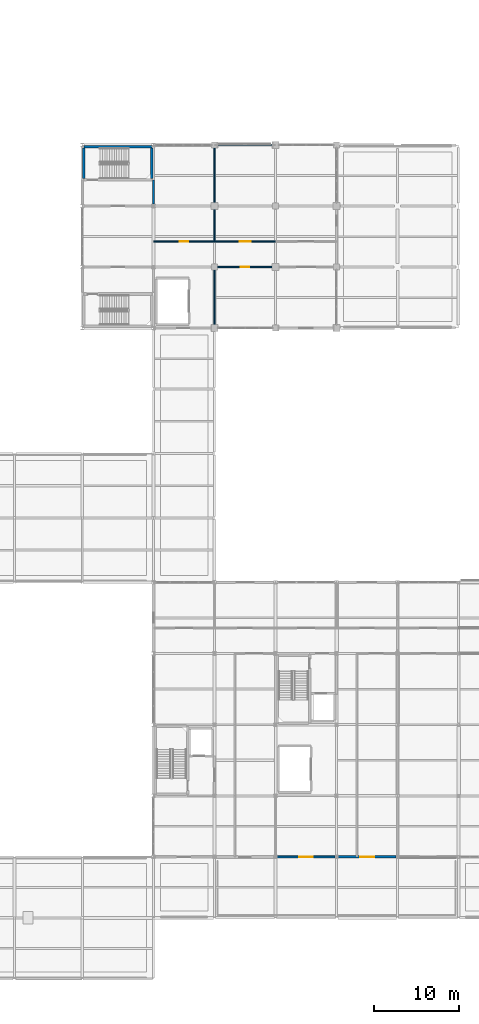
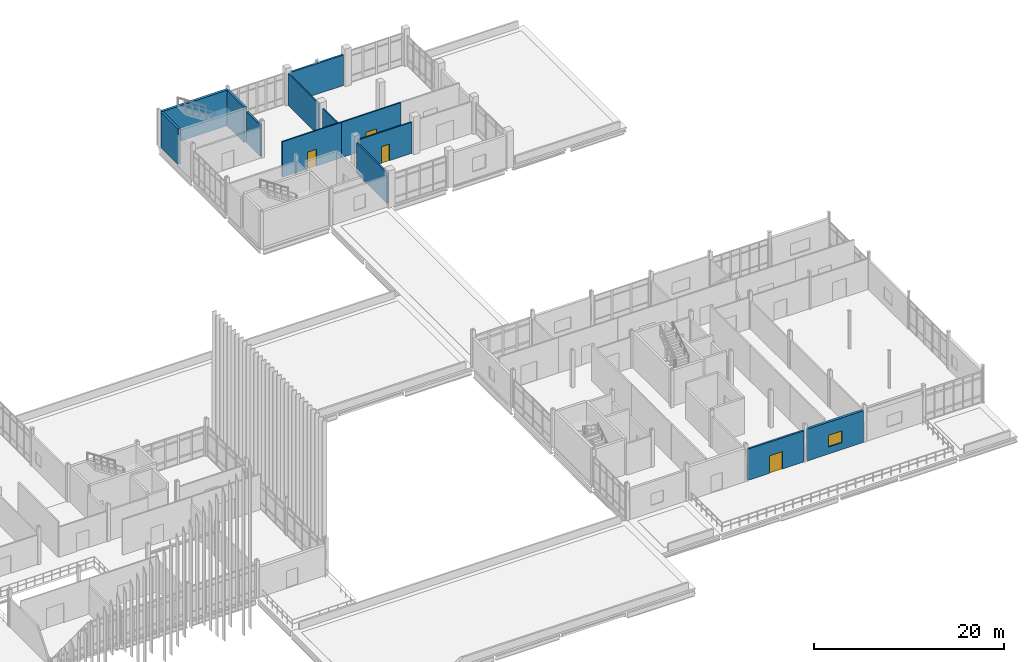
# One storey, part 132 of 153: 13 walls, 4 doors, 1 window, 5 openings.
"""IFC4 building model written with IfcOpenShell, lengths in metres."""

from ifc_helpers import new_model, si_unit, direction, frame, frame_2d, origin, place, context, subcontext, project, spatial, rectangle, extrude, material, layer, layer_set, type_object, element, fill, save


model = new_model("IFC4")

# Units and contexts
model_context = context("Model", 3, precision=1e-05, world=origin(), true_north=direction((0.0, 1.0)))
body_context = subcontext(model_context, "Body", "Model", "MODEL_VIEW")
ifc_project = project(units=[si_unit("LENGTHUNIT", "METRE"), si_unit("AREAUNIT", "SQUARE_METRE"), si_unit("VOLUMEUNIT", "CUBIC_METRE"), si_unit("PLANEANGLEUNIT", "RADIAN"), si_unit("MASSUNIT", "GRAM", prefix="KILO")], contexts=[model_context])

# Site, building, storey
site_placement = place(None, origin())
site = spatial("IfcSite", under=ifc_project, at=site_placement, CompositionType="ELEMENT")
building_placement = place(site_placement, origin())
building = spatial("IfcBuilding", under=site, at=building_placement, Name="Calvrana Isthmian Art Gallery", CompositionType="ELEMENT")
storey_placement = place(building_placement, frame((0.0, 0.0, 10.199951171875)))
storey = spatial("IfcBuildingStorey", under=building, at=storey_placement, Name="L02", CompositionType="ELEMENT", Elevation=10.199951171875)

# Walls
ifc_material_1 = material(Name="Concrete C40/50", Category="concrete")
ifc_layer_1 = layer(ifc_material_1, 0.300048828125, Name="Concrete C40/50")
ifc_layer_set_1 = layer_set([ifc_layer_1], Name="Concrete C40/50")
wall_type_1 = type_object("IfcWallType", Name="CW-SHAFT-300", PredefinedType="SHEAR", material=ifc_layer_set_1)
wall_1_placement = place(storey_placement, frame((104.590087890625, 98.179931640625, 0.0), z_axis=(0.0, 0.0, 1.0), x_axis=(1.0, 0.0, 0.0)))
element("IfcWall", 1, at=wall_1_placement, inside=storey, type_object=wall_type_1, Name="Core C8 shear wall N L02", PredefinedType="SHEAR", context=body_context, shape_type="SweptSolid", body=[
    extrude(rectangle(XDim=8.02001953125, YDim=0.300048828125, at=frame_2d((4.010009765625, 0.0))), origin(), (0.0, 0.0, 1.0), 4.56005859375),
])
for number, where, z_axis, x_axis, name in (
    (2, (104.590087890625, 94.429931640625, 0.0), (0.0, 0.0, 1.0), (0.0, 1.0, 0.0), "Core C8 shear wall W L02"),
    (3, (112.610107421875, 94.429931640625, 0.0), (0.0, 0.0, 1.0), (0.0, 1.0, 0.0), "Core C8 shear wall E L02"),
):
    element("IfcWall", number, at=place(storey_placement, frame(where, z_axis=z_axis, x_axis=x_axis)), inside=storey, type_object=wall_type_1, Name=name, PredefinedType="SHEAR", context=body_context, shape_type="SweptSolid", body=[
        extrude(rectangle(XDim=3.60009765625, YDim=0.300048828125, at=frame_2d((1.800048828125, 0.0))), origin(), (0.0, 0.0, 1.0), 4.56005859375),
    ])

# Wall, opening, door
ifc_material_2 = material(Name="Precast concrete C40/50", Category="concrete")
ifc_layer_2 = layer(ifc_material_2, 0.219970703125, Name="Precast concrete C40/50")
ifc_layer_set_2 = layer_set([ifc_layer_2], Name="Precast concrete C40/50")
wall_type_2 = type_object("IfcWallType", Name="EW-ACOUST-220", PredefinedType="SOLIDWALL", material=ifc_layer_set_2)
wall_2_placement = place(storey_placement, frame((134.216064453125, 14.39990234375, 0.0), z_axis=(0.0, 0.0, 1.0), x_axis=(-1.0, 0.0, 0.0)))
wall_2 = element("IfcWall", 4, at=wall_2_placement, inside=storey, type_object=wall_type_2, Name="Exterior wall EW-113", PredefinedType="SOLIDWALL", context=body_context, shape_type="SweptSolid", body=[
    extrude(rectangle(XDim=6.83056640625, YDim=0.219970703125, at=frame_2d((3.415283203125, 0.0))), origin(), (0.0, 0.0, 1.0), 4.007080078125),
])
opening_1_placement = place(wall_2_placement, frame((2.615234375, 0.0, 0.0)))
opening_1 = element("IfcOpeningElement", 5, at=opening_1_placement, cuts=wall_2, Name="Opening D-T24", PredefinedType="OPENING", context=body_context, shape_type="SweptSolid", body=[
    extrude(rectangle(XDim=1.60009765625, YDim=2.25, at=frame_2d((0.800048828125, 1.125))), frame((0.0, 0.1201171875, 0.0), z_axis=(0.0, -1.0, 0.0), x_axis=(1.0, 0.0, 0.0)), (0.0, 0.0, 1.0), 0.240478515625),
])
ifc_material_3 = material(Name="Anodized bronze aluminium 6063-T6", Category="aluminium")
door_type_1 = type_object("IfcDoorType", Name="DR-EXT-TER-1600", OperationType="DOUBLE_DOOR_SINGLE_SWING", PredefinedType="DOOR", material=ifc_material_3)
door_1_placement = place(opening_1_placement, origin())
door_1 = element("IfcDoor", 6, at=door_1_placement, inside=storey, type_object=door_type_1, Name="Sculpture terrace access door D-T24", OperationType="DOUBLE_DOOR_SINGLE_SWING", OverallHeight=2.25, OverallWidth=1.60009765625, PredefinedType="DOOR", context=body_context, shape_type="SweptSolid", body=[
    extrude(rectangle(XDim=1.60009765625, YDim=2.25, at=frame_2d((0.800048828125, 1.125))), frame((0.0, 0.02490234375, 0.0), z_axis=(0.0, -1.0, 0.0), x_axis=(1.0, 0.0, 0.0)), (0.0, 0.0, 1.0), 0.050048828125),
])
fill(opening_1, door_1)

# Wall
wall_3_placement = place(storey_placement, frame((120.35009765625, 98.39990234375, 0.0), z_axis=(0.0, 0.0, 1.0), x_axis=(1.0, 0.0, 0.0)))
element("IfcWall", 7, at=wall_3_placement, inside=storey, type_object=wall_type_2, Name="Exterior wall EW-125", PredefinedType="SOLIDWALL", context=body_context, shape_type="SweptSolid", body=[
    extrude(rectangle(XDim=6.449951171875, YDim=0.219970703125, at=frame_2d((3.22509765625, 0.0))), origin(), (0.0, 0.0, 1.0), 3.93310546875),
])

# Wall, opening, window
ifc_material_4 = material(Name="Pale Isthmian limestone", Category="masonry")
ifc_layer_3 = layer(ifc_material_4, 0.300048828125, Name="Pale Isthmian limestone")
ifc_layer_set_3 = layer_set([ifc_layer_3], Name="Pale Isthmian limestone")
wall_type_3 = type_object("IfcWallType", Name="EW-LIME-300", PredefinedType="SOLIDWALL", material=ifc_layer_set_3)
wall_4_placement = place(storey_placement, frame((141.41357421875, 14.39990234375, 0.0), z_axis=(0.0, 0.0, 1.0), x_axis=(-1.0, 0.0, 0.0)))
wall_4 = element("IfcWall", 8, at=wall_4_placement, inside=storey, type_object=wall_type_3, Name="Exterior wall EW-114", PredefinedType="SOLIDWALL", context=body_context, shape_type="SweptSolid", body=[
    extrude(rectangle(XDim=6.82958984375, YDim=0.300048828125, at=frame_2d((3.414794921875, 0.0))), origin(), (0.0, 0.0, 1.0), 4.078125),
])
opening_2_placement = place(wall_4_placement, frame((2.58984375, 0.0, 0.89990234375)))
opening_2 = element("IfcOpeningElement", 9, at=opening_2_placement, cuts=wall_4, Name="Opening W-074", PredefinedType="OPENING", context=body_context, shape_type="SweptSolid", body=[
    extrude(rectangle(XDim=1.64990234375, YDim=1.5, at=frame_2d((0.824951171875, 0.75))), frame((0.0, 0.16015625, 0.0), z_axis=(0.0, -1.0, 0.0), x_axis=(1.0, 0.0, 0.0)), (0.0, 0.0, 1.0), 0.320556640625),
])
ifc_material_5 = material(Name="Low-E laminated solar glass", Category="glass")
window_type = type_object("IfcWindowType", Name="WN-G04", PartitioningType="SINGLE_PANEL", PredefinedType="WINDOW", material=ifc_material_5)
window_placement = place(opening_2_placement, origin())
window = element("IfcWindow", 10, at=window_placement, inside=storey, type_object=window_type, Name="Facade window W-074", OverallHeight=1.5, OverallWidth=1.64990234375, PartitioningType="SINGLE_PANEL", PredefinedType="WINDOW", context=body_context, shape_type="SweptSolid", body=[
    extrude(rectangle(XDim=1.64990234375, YDim=1.5, at=frame_2d((0.824951171875, 0.75))), frame((0.0, 0.030029296875, 0.0), z_axis=(0.0, -1.0, 0.0), x_axis=(1.0, 0.0, 0.0)), (0.0, 0.0, 1.0), 0.06005859375),
])
fill(opening_2, window)

# Walls
ifc_material_6 = material(Name="Acoustic gypsum ceiling", Category="gypsum")
ifc_layer_4 = layer(ifc_material_6, 0.199951171875, Name="Acoustic gypsum ceiling")
ifc_layer_set_4 = layer_set([ifc_layer_4], Name="Acoustic gypsum ceiling")
wall_type_4 = type_object("IfcWallType", Name="PW-FIRE-200", PredefinedType="PARTITIONING", material=ifc_layer_set_4)
wall_5_placement = place(storey_placement, frame((112.800048828125, 91.419921875, 0.0), z_axis=(0.0, 0.0, 1.0), x_axis=(0.0, 1.0, 0.0)))
element("IfcWall", 11, at=wall_5_placement, inside=storey, type_object=wall_type_4, Name="Core C8 lobby E closure L02", PredefinedType="PARTITIONING", context=body_context, shape_type="SweptSolid", body=[
    extrude(rectangle(XDim=2.840087890625, YDim=0.199951171875, at=frame_2d((1.419921875, 0.0))), origin(), (0.0, 0.0, 1.0), 4.007080078125),
])
ifc_layer_5 = layer(ifc_material_6, 0.159912109375, Name="Acoustic gypsum ceiling")
ifc_layer_set_5 = layer_set([ifc_layer_5], Name="Acoustic gypsum ceiling")
wall_type_5 = type_object("IfcWallType", Name="PW-GAL-160", PredefinedType="PARTITIONING", material=ifc_layer_set_5)
wall_6_placement = place(storey_placement, frame((120.0, 77.215087890625, 0.0), z_axis=(0.0, 0.0, 1.0), x_axis=(0.0, 1.0, 0.0)))
element("IfcWall", 12, at=wall_6_placement, inside=storey, type_object=wall_type_5, Name="Interior partition PW-494", PredefinedType="PARTITIONING", context=body_context, shape_type="SweptSolid", body=[
    extrude(rectangle(XDim=6.419921875, YDim=0.159912109375, at=frame_2d((3.2099609375, 0.0))), origin(), (0.0, 0.0, 1.0), 3.93310546875),
])

# Wall, opening, door
wall_7_placement = place(storey_placement, frame((120.364990234375, 84.0, 0.0), z_axis=(0.0, 0.0, 1.0), x_axis=(1.0, 0.0, 0.0)))
wall_7 = element("IfcWall", 13, at=wall_7_placement, inside=storey, type_object=wall_type_5, Name="Interior partition PW-495", PredefinedType="PARTITIONING", context=body_context, shape_type="SweptSolid", body=[
    extrude(rectangle(XDim=6.419921875, YDim=0.159912109375, at=frame_2d((3.2099609375, 0.0))), origin(), (0.0, 0.0, 1.0), 4.007080078125),
])
opening_3_placement = place(wall_7_placement, frame((2.7099609375, 0.0, 0.0)))
opening_3 = element("IfcOpeningElement", 14, at=opening_3_placement, cuts=wall_7, Name="Opening D-452", PredefinedType="OPENING", context=body_context, shape_type="SweptSolid", body=[
    extrude(rectangle(XDim=1.0, YDim=2.14990234375, at=frame_2d((0.5, 1.074951171875))), frame((0.0, 0.09033203125, 0.0), z_axis=(0.0, -1.0, 0.0), x_axis=(1.0, 0.0, 0.0)), (0.0, 0.0, 1.0), 0.180419921875),
])
ifc_material_7 = material(Name="Timber gallery flooring", Category="wood")
door_type_2 = type_object("IfcDoorType", Name="DR-RM-1000", OperationType="NOTDEFINED", PredefinedType="DOOR", material=ifc_material_7)
door_2_placement = place(opening_3_placement, origin())
door_2 = element("IfcDoor", 15, at=door_2_placement, inside=storey, type_object=door_type_2, Name="Interior door D-452", OperationType="SINGLE_SWING_LEFT", OverallHeight=2.14990234375, OverallWidth=1.0, PredefinedType="DOOR", context=body_context, shape_type="SweptSolid", body=[
    extrude(rectangle(XDim=1.0, YDim=2.14990234375, at=frame_2d((0.5, 1.074951171875))), frame((0.0, 0.02490234375, 0.0), z_axis=(0.0, -1.0, 0.0), x_axis=(1.0, 0.0, 0.0)), (0.0, 0.0, 1.0), 0.050048828125),
])
fill(opening_3, door_2)

wall_8_placement = place(storey_placement, frame((112.81005859375, 87.010009765625, 0.0), z_axis=(0.0, 0.0, 1.0), x_axis=(1.0, 0.0, 0.0)))
wall_8 = element("IfcWall", 16, at=wall_8_placement, inside=storey, type_object=wall_type_5, Name="Interior partition PW-497", PredefinedType="PARTITIONING", context=body_context, shape_type="SweptSolid", body=[
    extrude(rectangle(XDim=7.179931640625, YDim=0.159912109375, at=frame_2d((3.58984375, 0.0))), origin(), (0.0, 0.0, 1.0), 4.5400390625),
])
opening_4_placement = place(wall_8_placement, frame((3.06494140625, 0.0, 0.0)))
opening_4 = element("IfcOpeningElement", 17, at=opening_4_placement, cuts=wall_8, Name="Opening D-454", PredefinedType="OPENING", context=body_context, shape_type="SweptSolid", body=[
    extrude(rectangle(XDim=1.050048828125, YDim=2.14990234375, at=frame_2d((0.52490234375, 1.074951171875))), frame((0.0, 0.09033203125, 0.0), z_axis=(0.0, -1.0, 0.0), x_axis=(1.0, 0.0, 0.0)), (0.0, 0.0, 1.0), 0.180419921875),
])
door_type_3 = type_object("IfcDoorType", Name="DR-RM-1050", OperationType="NOTDEFINED", PredefinedType="DOOR", material=ifc_material_7)
door_3_placement = place(opening_4_placement, origin())
door_3 = element("IfcDoor", 18, at=door_3_placement, inside=storey, type_object=door_type_3, Name="Interior door D-454", OperationType="SINGLE_SWING_RIGHT", OverallHeight=2.14990234375, OverallWidth=1.050048828125, PredefinedType="DOOR", context=body_context, shape_type="SweptSolid", body=[
    extrude(rectangle(XDim=1.050048828125, YDim=2.14990234375, at=frame_2d((0.52490234375, 1.074951171875))), frame((0.0, 0.02490234375, 0.0), z_axis=(0.0, -1.0, 0.0), x_axis=(1.0, 0.0, 0.0)), (0.0, 0.0, 1.0), 0.050048828125),
])
fill(opening_4, door_3)

# Walls
wall_9_placement = place(storey_placement, frame((120.0, 87.02001953125, 0.0), z_axis=(0.0, 0.0, 1.0), x_axis=(0.0, 1.0, 0.0)))
element("IfcWall", 19, at=wall_9_placement, inside=storey, type_object=wall_type_5, Name="Interior partition PW-498", PredefinedType="PARTITIONING", context=body_context, shape_type="SweptSolid", body=[
    extrude(rectangle(XDim=3.764892578125, YDim=0.159912109375, at=frame_2d((1.88232421875, 0.0))), origin(), (0.0, 0.0, 1.0), 4.007080078125),
])
wall_10_placement = place(storey_placement, frame((120.0, 91.614990234375, 0.0), z_axis=(0.0, 0.0, 1.0), x_axis=(0.0, 1.0, 0.0)))
element("IfcWall", 20, at=wall_10_placement, inside=storey, type_object=wall_type_5, Name="Interior partition PW-499", PredefinedType="PARTITIONING", context=body_context, shape_type="SweptSolid", body=[
    extrude(rectangle(XDim=6.419921875, YDim=0.159912109375, at=frame_2d((3.2099609375, 0.0))), origin(), (0.0, 0.0, 1.0), 4.078125),
])

# Wall, opening, door
wall_11_placement = place(storey_placement, frame((120.010009765625, 87.010009765625, 0.0), z_axis=(0.0, 0.0, 1.0), x_axis=(1.0, 0.0, 0.0)))
wall_11 = element("IfcWall", 21, at=wall_11_placement, inside=storey, type_object=wall_type_5, Name="Interior partition PW-500", PredefinedType="PARTITIONING", context=body_context, shape_type="SweptSolid", body=[
    extrude(rectangle(XDim=7.179931640625, YDim=0.159912109375, at=frame_2d((3.58984375, 0.0))), origin(), (0.0, 0.0, 1.0), 4.5400390625),
])
opening_5_placement = place(wall_11_placement, frame((2.93994140625, 0.0, 0.0)))
opening_5 = element("IfcOpeningElement", 22, at=opening_5_placement, cuts=wall_11, Name="Opening D-455", PredefinedType="OPENING", context=body_context, shape_type="SweptSolid", body=[
    extrude(rectangle(XDim=1.300048828125, YDim=2.199951171875, at=frame_2d((0.64990234375, 1.10009765625))), frame((0.0, 0.09033203125, 0.0), z_axis=(0.0, -1.0, 0.0), x_axis=(1.0, 0.0, 0.0)), (0.0, 0.0, 1.0), 0.180419921875),
])
door_type_4 = type_object("IfcDoorType", Name="DR-RM-1300", OperationType="NOTDEFINED", PredefinedType="DOOR", material=ifc_material_7)
door_4_placement = place(opening_5_placement, origin())
door_4 = element("IfcDoor", 23, at=door_4_placement, inside=storey, type_object=door_type_4, Name="Interior door D-455", OperationType="SINGLE_SWING_LEFT", OverallHeight=2.199951171875, OverallWidth=1.300048828125, PredefinedType="DOOR", context=body_context, shape_type="SweptSolid", body=[
    extrude(rectangle(XDim=1.300048828125, YDim=2.199951171875, at=frame_2d((0.64990234375, 1.10009765625))), frame((0.0, 0.02490234375, 0.0), z_axis=(0.0, -1.0, 0.0), x_axis=(1.0, 0.0, 0.0)), (0.0, 0.0, 1.0), 0.050048828125),
])
fill(opening_5, door_4)

save(model, "model.ifc")
